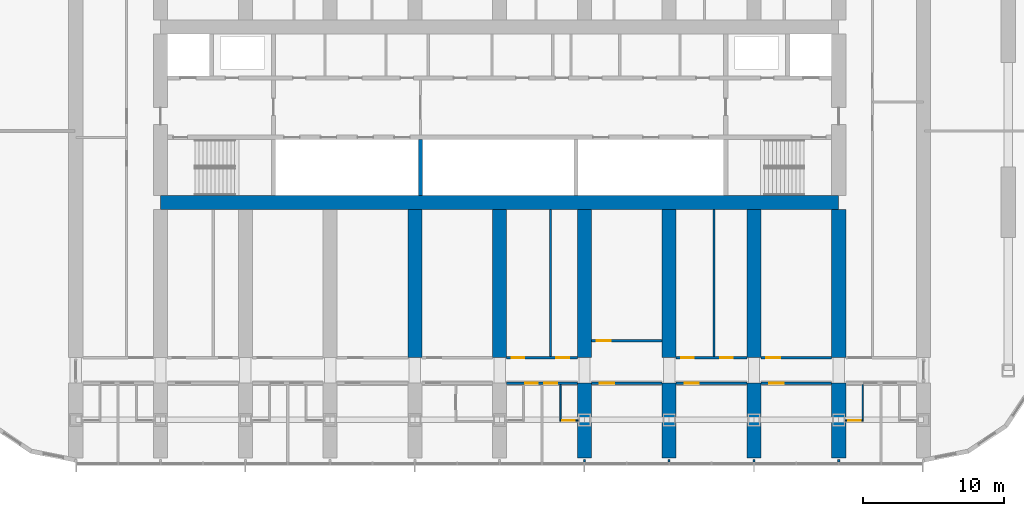
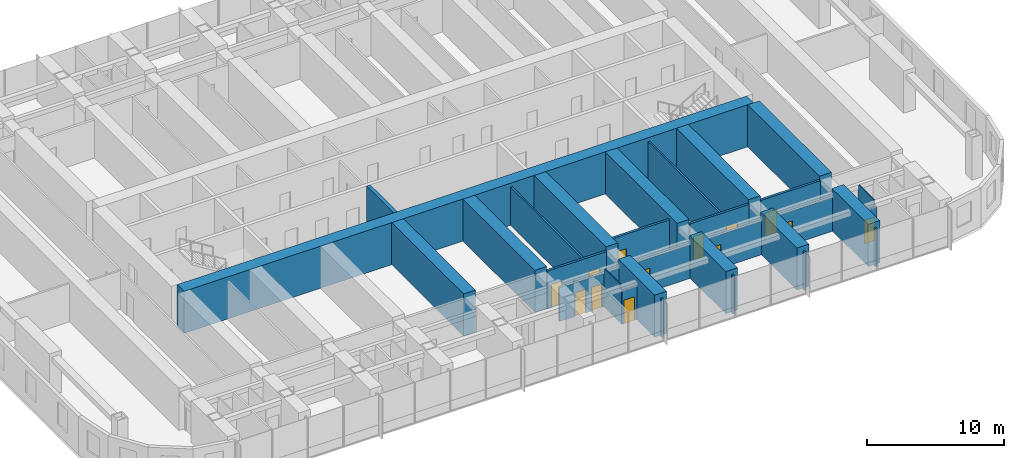
# One storey, part 12 of 23: 30 walls, 13 doors, 13 openings.
"""IFC4 building model written with IfcOpenShell, lengths in metres."""

from ifc_helpers import new_model, si_unit, direction, frame, frame_2d, origin, place, context, subcontext, project, spatial, polyline, rectangle, outline, extrude, material, layer, layer_set, type_object, element, fill, save


model = new_model("IFC4")

# Units and contexts
model_context = context("Model", 3, precision=1e-05, world=origin(), true_north=direction((0.0, 1.0)))
body_context = subcontext(model_context, "Body", "Model", "MODEL_VIEW")
ifc_project = project(units=[si_unit("LENGTHUNIT", "METRE"), si_unit("AREAUNIT", "SQUARE_METRE"), si_unit("VOLUMEUNIT", "CUBIC_METRE"), si_unit("PLANEANGLEUNIT", "RADIAN"), si_unit("MASSUNIT", "GRAM", prefix="KILO")], contexts=[model_context])

# Site, building, storey
site_placement = place(None, origin())
site = spatial("IfcSite", under=ifc_project, at=site_placement, CompositionType="ELEMENT")
building_placement = place(site_placement, origin())
building = spatial("IfcBuilding", under=site, at=building_placement, Name="Orbita Commons", CompositionType="ELEMENT")
storey_placement = place(building_placement, frame((0.0, 0.0, 65.199951171875)))
storey = spatial("IfcBuildingStorey", under=building, at=storey_placement, Name="L16", CompositionType="ELEMENT", Elevation=65.199951171875)

# Walls
ifc_material_1 = material(Name="Concrete C50/60", Category="concrete")
ifc_layer_1 = layer(ifc_material_1, 0.300048828125)
ifc_layer_set_1 = layer_set([ifc_layer_1], Name="Concrete C50/60")
wall_type_1 = type_object("IfcWallType", Name="Core inner wall 300 C50/60", PredefinedType="SHEAR", material=ifc_layer_set_1)
wall_1_placement = place(storey_placement, frame((36.39990234375, 26.300048828125, 0.0), z_axis=(0.0, 0.0, 1.0), x_axis=(0.0, 1.0, 0.0)))
element("IfcWall", 1, at=wall_1_placement, inside=storey, type_object=wall_type_1, Name="Hoistway division wall L16", PredefinedType="SHEAR", context=body_context, shape_type="SweptSolid", body=[
    extrude(rectangle(XDim=3.949951171875, YDim=0.300048828125, at=frame_2d((1.97509765625, 0.0))), origin(), (0.0, 0.0, 1.0), 3.75),
])
ifc_material_2 = material(Name="Concrete C50/60", Category="concrete")
ifc_layer_2 = layer(ifc_material_2, 1.0)
ifc_layer_set_2 = layer_set([ifc_layer_2], Name="Concrete C50/60")
wall_type_2 = type_object("IfcWallType", Name="Core wall 1000 C50/60", PredefinedType="SHEAR", material=ifc_layer_set_2)
wall_2_placement = place(storey_placement, frame((18.0, 25.800048828125, 0.0), z_axis=(0.0, 0.0, 1.0), x_axis=(1.0, 0.0, 0.0)))
element("IfcWall", 2, at=wall_2_placement, inside=storey, type_object=wall_type_2, Name="Core spine wall south L16", PredefinedType="SHEAR", context=body_context, shape_type="SweptSolid", body=[
    extrude(rectangle(XDim=48.0, YDim=1.0, at=frame_2d((24.0, 0.0))), origin(), (0.0, 0.0, 1.0), 3.75),
])

# Wall, openings, doors
ifc_material_3 = material(Name="Concrete blockwork", Category="masonry")
ifc_layer_3 = layer(ifc_material_3, 0.199951171875)
ifc_layer_set_3 = layer_set([ifc_layer_3], Name="Concrete blockwork")
wall_type_3 = type_object("IfcWallType", Name="Corridor wall 200 blockwork", PredefinedType="SOLIDWALL", material=ifc_layer_set_3)
wall_3_placement = place(storey_placement, frame((42.5, 13.0, 0.0), z_axis=(0.0, 0.0, 1.0), x_axis=(1.0, 0.0, 0.0)))
wall_3 = element("IfcWall", 3, at=wall_3_placement, inside=storey, type_object=wall_type_3, Name="Corridor wall 200 blockwork L16", PredefinedType="SOLIDWALL", context=body_context, shape_type="SweptSolid", body=[
    extrude(outline(polyline([(0.0, 0.0), (5.0, 0.0), (5.0, 3.0), (0.0, 3.0), (0.0, 0.0)])), frame((0.0, 0.10009765625, 0.0), z_axis=(0.0, -1.0, 0.0), x_axis=(1.0, 0.0, 0.0)), (0.0, 0.0, 1.0), 0.199951171875),
])
opening_1_placement = place(wall_3_placement, frame((1.300048828125, 0.0, 0.0)))
opening_1 = element("IfcOpeningElement", 4, at=opening_1_placement, cuts=wall_3, Name="Opening D11", PredefinedType="OPENING", context=body_context, shape_type="SweptSolid", body=[
    extrude(rectangle(XDim=0.89990234375, YDim=2.10009765625, at=frame_2d((0.449951171875, 1.050048828125))), frame((0.0, 0.10986328125, 0.0), z_axis=(0.0, -1.0, 0.0), x_axis=(1.0, 0.0, 0.0)), (0.0, 0.0, 1.0), 0.219970703125),
])
opening_2_placement = place(wall_3_placement, frame((2.675048828125, 0.0, 0.0)))
opening_2 = element("IfcOpeningElement", 5, at=opening_2_placement, cuts=wall_3, Name="Opening D11", PredefinedType="OPENING", context=body_context, shape_type="SweptSolid", body=[
    extrude(rectangle(XDim=0.89990234375, YDim=2.10009765625, at=frame_2d((0.449951171875, 1.050048828125))), frame((0.0, 0.10986328125, 0.0), z_axis=(0.0, -1.0, 0.0), x_axis=(1.0, 0.0, 0.0)), (0.0, 0.0, 1.0), 0.219970703125),
])
ifc_material_4 = material(Name="Steel-faced fire door leaf", Category="steel")
door_type_1 = type_object("IfcDoorType", Name="Corridor door 20 min 900x2100", OperationType="SINGLE_SWING_LEFT", PredefinedType="DOOR", material=ifc_material_4)
door_1_placement = place(opening_1_placement, origin())
door_1 = element("IfcDoor", 6, at=door_1_placement, inside=storey, type_object=door_type_1, Name="House bedroom L16-S10 door", OperationType="SINGLE_SWING_LEFT", OverallHeight=2.10009765625, OverallWidth=0.89990234375, PredefinedType="DOOR", context=body_context, shape_type="SweptSolid", body=[
    extrude(rectangle(XDim=0.89990234375, YDim=2.10009765625, at=frame_2d((0.449951171875, 1.050048828125))), frame((0.0, 0.02490234375, 0.0), z_axis=(0.0, -1.0, 0.0), x_axis=(1.0, 0.0, 0.0)), (0.0, 0.0, 1.0), 0.050048828125),
])
fill(opening_1, door_1)
door_2_placement = place(opening_2_placement, origin())
door_2 = element("IfcDoor", 7, at=door_2_placement, inside=storey, type_object=door_type_1, Name="House bedroom L16-S11 door", OperationType="SINGLE_SWING_LEFT", OverallHeight=2.10009765625, OverallWidth=0.89990234375, PredefinedType="DOOR", context=body_context, shape_type="SweptSolid", body=[
    extrude(rectangle(XDim=0.89990234375, YDim=2.10009765625, at=frame_2d((0.449951171875, 1.050048828125))), frame((0.0, 0.02490234375, 0.0), z_axis=(0.0, -1.0, 0.0), x_axis=(1.0, 0.0, 0.0)), (0.0, 0.0, 1.0), 0.050048828125),
])
fill(opening_2, door_2)

# Wall, opening, door
wall_4_placement = place(storey_placement, frame((48.5, 13.0, 0.0), z_axis=(0.0, 0.0, 1.0), x_axis=(1.0, 0.0, 0.0)))
wall_4 = element("IfcWall", 8, at=wall_4_placement, inside=storey, type_object=wall_type_3, Name="Corridor wall 200 blockwork L16", PredefinedType="SOLIDWALL", context=body_context, shape_type="SweptSolid", body=[
    extrude(outline(polyline([(0.0, 0.0), (5.0, 0.0), (5.0, 3.0), (0.0, 3.0), (0.0, 0.0)])), frame((0.0, 0.10009765625, 0.0), z_axis=(0.0, -1.0, 0.0), x_axis=(1.0, 0.0, 0.0)), (0.0, 0.0, 1.0), 0.199951171875),
])
opening_3_placement = place(wall_4_placement, frame((0.60009765625, 0.0, 0.0)))
opening_3 = element("IfcOpeningElement", 9, at=opening_3_placement, cuts=wall_4, Name="Opening D06", PredefinedType="OPENING", context=body_context, shape_type="SweptSolid", body=[
    extrude(rectangle(XDim=1.0, YDim=2.10009765625, at=frame_2d((0.5, 1.050048828125))), frame((0.0, 0.10986328125, 0.0), z_axis=(0.0, -1.0, 0.0), x_axis=(1.0, 0.0, 0.0)), (0.0, 0.0, 1.0), 0.219970703125),
])
ifc_material_5 = material(Name="Steel-faced fire door leaf", Category="steel")
door_type_2 = type_object("IfcDoorType", Name="Corridor door 20 min 1000x2100", OperationType="SINGLE_SWING_LEFT", PredefinedType="DOOR", material=ifc_material_5)
door_3_placement = place(opening_3_placement, origin())
door_3 = element("IfcDoor", 10, at=door_3_placement, inside=storey, type_object=door_type_2, Name="House common room L16-S12 door", OperationType="SINGLE_SWING_LEFT", OverallHeight=2.10009765625, OverallWidth=1.0, PredefinedType="DOOR", context=body_context, shape_type="SweptSolid", body=[
    extrude(rectangle(XDim=1.0, YDim=2.10009765625, at=frame_2d((0.5, 1.050048828125))), frame((0.0, 0.02490234375, 0.0), z_axis=(0.0, -1.0, 0.0), x_axis=(1.0, 0.0, 0.0)), (0.0, 0.0, 1.0), 0.050048828125),
])
fill(opening_3, door_3)

wall_5_placement = place(storey_placement, frame((54.5, 13.0, 0.0), z_axis=(0.0, 0.0, 1.0), x_axis=(1.0, 0.0, 0.0)))
wall_5 = element("IfcWall", 11, at=wall_5_placement, inside=storey, type_object=wall_type_3, Name="Corridor wall 200 blockwork L16", PredefinedType="SOLIDWALL", context=body_context, shape_type="SweptSolid", body=[
    extrude(outline(polyline([(0.0, 0.0), (5.0, 0.0), (5.0, 3.0), (0.0, 3.0), (0.0, 0.0)])), frame((0.0, 0.10009765625, 0.0), z_axis=(0.0, -1.0, 0.0), x_axis=(1.0, 0.0, 0.0)), (0.0, 0.0, 1.0), 0.199951171875),
])
opening_4_placement = place(wall_5_placement, frame((0.60009765625, 0.0, 0.0)))
opening_4 = element("IfcOpeningElement", 12, at=opening_4_placement, cuts=wall_5, Name="Opening D06", PredefinedType="OPENING", context=body_context, shape_type="SweptSolid", body=[
    extrude(rectangle(XDim=1.0, YDim=2.10009765625, at=frame_2d((0.5, 1.050048828125))), frame((0.0, 0.10986328125, 0.0), z_axis=(0.0, -1.0, 0.0), x_axis=(1.0, 0.0, 0.0)), (0.0, 0.0, 1.0), 0.219970703125),
])
door_4_placement = place(opening_4_placement, origin())
door_4 = element("IfcDoor", 13, at=door_4_placement, inside=storey, type_object=door_type_2, Name="House kitchen-diner L16-S14 door", OperationType="SINGLE_SWING_LEFT", OverallHeight=2.10009765625, OverallWidth=1.0, PredefinedType="DOOR", context=body_context, shape_type="SweptSolid", body=[
    extrude(rectangle(XDim=1.0, YDim=2.10009765625, at=frame_2d((0.5, 1.050048828125))), frame((0.0, 0.02490234375, 0.0), z_axis=(0.0, -1.0, 0.0), x_axis=(1.0, 0.0, 0.0)), (0.0, 0.0, 1.0), 0.050048828125),
])
fill(opening_4, door_4)

wall_6_placement = place(storey_placement, frame((60.5, 13.0, 0.0), z_axis=(0.0, 0.0, 1.0), x_axis=(1.0, 0.0, 0.0)))
wall_6 = element("IfcWall", 14, at=wall_6_placement, inside=storey, type_object=wall_type_3, Name="Corridor wall 200 blockwork L16", PredefinedType="SOLIDWALL", context=body_context, shape_type="SweptSolid", body=[
    extrude(outline(polyline([(0.0, 0.0), (5.0, 0.0), (5.0, 3.0), (0.0, 3.0), (0.0, 0.0)])), frame((0.0, 0.10009765625, 0.0), z_axis=(0.0, -1.0, 0.0), x_axis=(1.0, 0.0, 0.0)), (0.0, 0.0, 1.0), 0.199951171875),
])
opening_5_placement = place(wall_6_placement, frame((0.60009765625, 0.0, 0.0)))
opening_5 = element("IfcOpeningElement", 15, at=opening_5_placement, cuts=wall_6, Name="Opening D06", PredefinedType="OPENING", context=body_context, shape_type="SweptSolid", body=[
    extrude(rectangle(XDim=1.0, YDim=2.10009765625, at=frame_2d((0.5, 1.050048828125))), frame((0.0, 0.10986328125, 0.0), z_axis=(0.0, -1.0, 0.0), x_axis=(1.0, 0.0, 0.0)), (0.0, 0.0, 1.0), 0.219970703125),
])
door_5_placement = place(opening_5_placement, origin())
door_5 = element("IfcDoor", 16, at=door_5_placement, inside=storey, type_object=door_type_2, Name="House common room L16-S16 door", OperationType="SINGLE_SWING_LEFT", OverallHeight=2.10009765625, OverallWidth=1.0, PredefinedType="DOOR", context=body_context, shape_type="SweptSolid", body=[
    extrude(rectangle(XDim=1.0, YDim=2.10009765625, at=frame_2d((0.5, 1.050048828125))), frame((0.0, 0.02490234375, 0.0), z_axis=(0.0, -1.0, 0.0), x_axis=(1.0, 0.0, 0.0)), (0.0, 0.0, 1.0), 0.050048828125),
])
fill(opening_5, door_5)

# Wall, openings, doors
ifc_material_6 = material(Name="Hollow concrete block 200", Category="concrete")
ifc_layer_4 = layer(ifc_material_6, 0.199951171875)
ifc_layer_set_4 = layer_set([ifc_layer_4], Name="Hollow concrete block 200")
wall_type_4 = type_object("IfcWallType", Name="Corridor wall 200 hollow concrete block", PredefinedType="SOLIDWALL", material=ifc_layer_set_4)
wall_7_placement = place(storey_placement, frame((42.5, 14.800048828125, 0.0), z_axis=(0.0, 0.0, 1.0), x_axis=(1.0, 0.0, 0.0)))
wall_7 = element("IfcWall", 17, at=wall_7_placement, inside=storey, type_object=wall_type_4, Name="Corridor wall 200 hollow concrete block L16", PredefinedType="SOLIDWALL", context=body_context, shape_type="SweptSolid", body=[
    extrude(rectangle(XDim=5.0, YDim=0.199951171875, at=frame_2d((2.5, 0.0))), origin(), (0.0, 0.0, 1.0), 3.400146484375),
])
opening_6_placement = place(wall_7_placement, frame((0.35009765625, 0.0, 0.0)))
opening_6 = element("IfcOpeningElement", 18, at=opening_6_placement, cuts=wall_7, Name="Opening D11", PredefinedType="OPENING", context=body_context, shape_type="SweptSolid", body=[
    extrude(rectangle(XDim=0.89990234375, YDim=2.10009765625, at=frame_2d((0.449951171875, 1.050048828125))), frame((0.0, 0.10986328125, 0.0), z_axis=(0.0, -1.0, 0.0), x_axis=(1.0, 0.0, 0.0)), (0.0, 0.0, 1.0), 0.219970703125),
])
opening_7_placement = place(wall_7_placement, frame((3.52001953125, 0.0, 0.0)))
opening_7 = element("IfcOpeningElement", 19, at=opening_7_placement, cuts=wall_7, Name="Opening D11", PredefinedType="OPENING", context=body_context, shape_type="SweptSolid", body=[
    extrude(rectangle(XDim=0.89990234375, YDim=2.10009765625, at=frame_2d((0.449951171875, 1.050048828125))), frame((0.0, 0.10986328125, 0.0), z_axis=(0.0, -1.0, 0.0), x_axis=(1.0, 0.0, 0.0)), (0.0, 0.0, 1.0), 0.219970703125),
])
door_6_placement = place(opening_6_placement, origin())
door_6 = element("IfcDoor", 20, at=door_6_placement, inside=storey, type_object=door_type_1, Name="Bicycle repair workshop L16-BDS42 door", OperationType="SINGLE_SWING_LEFT", OverallHeight=2.10009765625, OverallWidth=0.89990234375, PredefinedType="DOOR", context=body_context, shape_type="SweptSolid", body=[
    extrude(rectangle(XDim=0.89990234375, YDim=2.10009765625, at=frame_2d((0.449951171875, 1.050048828125))), frame((0.0, 0.02490234375, 0.0), z_axis=(0.0, -1.0, 0.0), x_axis=(1.0, 0.0, 0.0)), (0.0, 0.0, 1.0), 0.050048828125),
])
fill(opening_6, door_6)
door_7_placement = place(opening_7_placement, origin())
door_7 = element("IfcDoor", 21, at=door_7_placement, inside=storey, type_object=door_type_1, Name="Battery and UPS room L16-BDS42n door", OperationType="SINGLE_SWING_LEFT", OverallHeight=2.10009765625, OverallWidth=0.89990234375, PredefinedType="DOOR", context=body_context, shape_type="SweptSolid", body=[
    extrude(rectangle(XDim=0.89990234375, YDim=2.10009765625, at=frame_2d((0.449951171875, 1.050048828125))), frame((0.0, 0.02490234375, 0.0), z_axis=(0.0, -1.0, 0.0), x_axis=(1.0, 0.0, 0.0)), (0.0, 0.0, 1.0), 0.050048828125),
])
fill(opening_7, door_7)

wall_8_placement = place(storey_placement, frame((54.5, 14.800048828125, 0.0), z_axis=(0.0, 0.0, 1.0), x_axis=(1.0, 0.0, 0.0)))
wall_8 = element("IfcWall", 22, at=wall_8_placement, inside=storey, type_object=wall_type_4, Name="Corridor wall 200 hollow concrete block L16", PredefinedType="SOLIDWALL", context=body_context, shape_type="SweptSolid", body=[
    extrude(rectangle(XDim=5.0, YDim=0.199951171875, at=frame_2d((2.5, 0.0))), origin(), (0.0, 0.0, 1.0), 3.400146484375),
])
opening_8_placement = place(wall_8_placement, frame((0.35009765625, 0.0, 0.0)))
opening_8 = element("IfcOpeningElement", 23, at=opening_8_placement, cuts=wall_8, Name="Opening D11", PredefinedType="OPENING", context=body_context, shape_type="SweptSolid", body=[
    extrude(rectangle(XDim=0.89990234375, YDim=2.10009765625, at=frame_2d((0.449951171875, 1.050048828125))), frame((0.0, 0.10986328125, 0.0), z_axis=(0.0, -1.0, 0.0), x_axis=(1.0, 0.0, 0.0)), (0.0, 0.0, 1.0), 0.219970703125),
])
opening_9_placement = place(wall_8_placement, frame((3.110107421875, 0.0, 0.0)))
opening_9 = element("IfcOpeningElement", 24, at=opening_9_placement, cuts=wall_8, Name="Opening D11", PredefinedType="OPENING", context=body_context, shape_type="SweptSolid", body=[
    extrude(rectangle(XDim=0.89990234375, YDim=2.10009765625, at=frame_2d((0.449951171875, 1.050048828125))), frame((0.0, 0.10986328125, 0.0), z_axis=(0.0, -1.0, 0.0), x_axis=(1.0, 0.0, 0.0)), (0.0, 0.0, 1.0), 0.219970703125),
])
door_8_placement = place(opening_8_placement, origin())
door_8 = element("IfcDoor", 25, at=door_8_placement, inside=storey, type_object=door_type_1, Name="IT and print room L16-BDS54 door", OperationType="SINGLE_SWING_LEFT", OverallHeight=2.10009765625, OverallWidth=0.89990234375, PredefinedType="DOOR", context=body_context, shape_type="SweptSolid", body=[
    extrude(rectangle(XDim=0.89990234375, YDim=2.10009765625, at=frame_2d((0.449951171875, 1.050048828125))), frame((0.0, 0.02490234375, 0.0), z_axis=(0.0, -1.0, 0.0), x_axis=(1.0, 0.0, 0.0)), (0.0, 0.0, 1.0), 0.050048828125),
])
fill(opening_8, door_8)
door_9_placement = place(opening_9_placement, origin())
door_9 = element("IfcDoor", 26, at=door_9_placement, inside=storey, type_object=door_type_1, Name="Water heater cupboard L16-BDS54n door", OperationType="SINGLE_SWING_LEFT", OverallHeight=2.10009765625, OverallWidth=0.89990234375, PredefinedType="DOOR", context=body_context, shape_type="SweptSolid", body=[
    extrude(rectangle(XDim=0.89990234375, YDim=2.10009765625, at=frame_2d((0.449951171875, 1.050048828125))), frame((0.0, 0.02490234375, 0.0), z_axis=(0.0, -1.0, 0.0), x_axis=(1.0, 0.0, 0.0)), (0.0, 0.0, 1.0), 0.050048828125),
])
fill(opening_9, door_9)

# Wall, opening, door
wall_9_placement = place(storey_placement, frame((60.5, 14.800048828125, 0.0), z_axis=(0.0, 0.0, 1.0), x_axis=(1.0, 0.0, 0.0)))
wall_9 = element("IfcWall", 27, at=wall_9_placement, inside=storey, type_object=wall_type_4, Name="Corridor wall 200 hollow concrete block L16", PredefinedType="SOLIDWALL", context=body_context, shape_type="SweptSolid", body=[
    extrude(rectangle(XDim=5.0, YDim=0.199951171875, at=frame_2d((2.5, 0.0))), origin(), (0.0, 0.0, 1.0), 3.400146484375),
])
opening_10_placement = place(wall_9_placement, frame((0.375, 0.0, 0.0)))
opening_10 = element("IfcOpeningElement", 28, at=opening_10_placement, cuts=wall_9, Name="Opening D06", PredefinedType="OPENING", context=body_context, shape_type="SweptSolid", body=[
    extrude(rectangle(XDim=1.0, YDim=2.10009765625, at=frame_2d((0.5, 1.050048828125))), frame((0.0, 0.10986328125, 0.0), z_axis=(0.0, -1.0, 0.0), x_axis=(1.0, 0.0, 0.0)), (0.0, 0.0, 1.0), 0.219970703125),
])
door_10_placement = place(opening_10_placement, origin())
door_10 = element("IfcDoor", 29, at=door_10_placement, inside=storey, type_object=door_type_2, Name="Cleaners store L16-BDS60 door", OperationType="SINGLE_SWING_LEFT", OverallHeight=2.10009765625, OverallWidth=1.0, PredefinedType="DOOR", context=body_context, shape_type="SweptSolid", body=[
    extrude(rectangle(XDim=1.0, YDim=2.10009765625, at=frame_2d((0.5, 1.050048828125))), frame((0.0, 0.02490234375, 0.0), z_axis=(0.0, -1.0, 0.0), x_axis=(1.0, 0.0, 0.0)), (0.0, 0.0, 1.0), 0.050048828125),
])
fill(opening_10, door_10)

wall_10_placement = place(storey_placement, frame((48.5, 16.0, 0.0), z_axis=(0.0, 0.0, 1.0), x_axis=(1.0, 0.0, 0.0)))
wall_10 = element("IfcWall", 30, at=wall_10_placement, inside=storey, type_object=wall_type_4, Name="Corridor wall 200 hollow concrete block L16", PredefinedType="SOLIDWALL", context=body_context, shape_type="SweptSolid", body=[
    extrude(rectangle(XDim=5.0, YDim=0.199951171875, at=frame_2d((2.5, 0.0))), origin(), (0.0, 0.0, 1.0), 3.400146484375),
])
opening_11_placement = place(wall_10_placement, frame((0.375, 0.0, 0.0)))
opening_11 = element("IfcOpeningElement", 31, at=opening_11_placement, cuts=wall_10, Name="Opening D06", PredefinedType="OPENING", context=body_context, shape_type="SweptSolid", body=[
    extrude(rectangle(XDim=1.0, YDim=2.10009765625, at=frame_2d((0.5, 1.050048828125))), frame((0.0, 0.10986328125, 0.0), z_axis=(0.0, -1.0, 0.0), x_axis=(1.0, 0.0, 0.0)), (0.0, 0.0, 1.0), 0.219970703125),
])
door_11_placement = place(opening_11_placement, origin())
door_11 = element("IfcDoor", 32, at=door_11_placement, inside=storey, type_object=door_type_2, Name="Quiet room L16-BDS48 door", OperationType="SINGLE_SWING_LEFT", OverallHeight=2.10009765625, OverallWidth=1.0, PredefinedType="DOOR", context=body_context, shape_type="SweptSolid", body=[
    extrude(rectangle(XDim=1.0, YDim=2.10009765625, at=frame_2d((0.5, 1.050048828125))), frame((0.0, 0.02490234375, 0.0), z_axis=(0.0, -1.0, 0.0), x_axis=(1.0, 0.0, 0.0)), (0.0, 0.0, 1.0), 0.050048828125),
])
fill(opening_11, door_11)

# Walls
ifc_material_7 = material(Name="Concrete C50/60", Category="concrete")
ifc_layer_5 = layer(ifc_material_7, 1.0)
ifc_layer_set_5 = layer_set([ifc_layer_5], Name="Concrete C50/60")
wall_type_5 = type_object("IfcWallType", Name="Cross wall 1000 C50/60", PredefinedType="SHEAR", material=ifc_layer_set_5)
for number, where, z_axis, x_axis, name in (
    (33, (36.0, 14.800048828125, 0.0), (0.0, 0.0, 1.0), (0.0, 1.0, 0.0), "Cross wall 7 south inner L16"),
    (34, (42.0, 14.800048828125, 0.0), (0.0, 0.0, 1.0), (0.0, 1.0, 0.0), "Cross wall 8 south inner L16"),
):
    element("IfcWall", number, at=place(storey_placement, frame(where, z_axis=z_axis, x_axis=x_axis)), inside=storey, type_object=wall_type_5, Name=name, PredefinedType="SHEAR", context=body_context, shape_type="SweptSolid", body=[
        extrude(rectangle(XDim=10.5, YDim=1.0, at=frame_2d((5.25, 0.0))), origin(), (0.0, 0.0, 1.0), 3.75),
    ])
wall_11_placement = place(storey_placement, frame((48.0, 7.699951171875, 0.0), z_axis=(0.0, 0.0, 1.0), x_axis=(0.0, 1.0, 0.0)))
element("IfcWall", 35, at=wall_11_placement, inside=storey, type_object=wall_type_5, Name="Cross wall 9 south outer L16", PredefinedType="SHEAR", context=body_context, shape_type="SweptSolid", body=[
    extrude(rectangle(XDim=5.300048828125, YDim=1.0, at=frame_2d((2.64990234375, 0.0))), origin(), (0.0, 0.0, 1.0), 3.75),
])
wall_12_placement = place(storey_placement, frame((48.0, 14.800048828125, 0.0), z_axis=(0.0, 0.0, 1.0), x_axis=(0.0, 1.0, 0.0)))
element("IfcWall", 36, at=wall_12_placement, inside=storey, type_object=wall_type_5, Name="Cross wall 9 south inner L16", PredefinedType="SHEAR", context=body_context, shape_type="SweptSolid", body=[
    extrude(rectangle(XDim=10.5, YDim=1.0, at=frame_2d((5.25, 0.0))), origin(), (0.0, 0.0, 1.0), 3.75),
])
wall_13_placement = place(storey_placement, frame((54.0, 7.699951171875, 0.0), z_axis=(0.0, 0.0, 1.0), x_axis=(0.0, 1.0, 0.0)))
element("IfcWall", 37, at=wall_13_placement, inside=storey, type_object=wall_type_5, Name="Cross wall 10 south outer L16", PredefinedType="SHEAR", context=body_context, shape_type="SweptSolid", body=[
    extrude(rectangle(XDim=5.300048828125, YDim=1.0, at=frame_2d((2.64990234375, 0.0))), origin(), (0.0, 0.0, 1.0), 3.75),
])
wall_14_placement = place(storey_placement, frame((54.0, 14.800048828125, 0.0), z_axis=(0.0, 0.0, 1.0), x_axis=(0.0, 1.0, 0.0)))
element("IfcWall", 38, at=wall_14_placement, inside=storey, type_object=wall_type_5, Name="Cross wall 10 south inner L16", PredefinedType="SHEAR", context=body_context, shape_type="SweptSolid", body=[
    extrude(rectangle(XDim=10.5, YDim=1.0, at=frame_2d((5.25, 0.0))), origin(), (0.0, 0.0, 1.0), 3.75),
])
wall_15_placement = place(storey_placement, frame((60.0, 7.699951171875, 0.0), z_axis=(0.0, 0.0, 1.0), x_axis=(0.0, 1.0, 0.0)))
element("IfcWall", 39, at=wall_15_placement, inside=storey, type_object=wall_type_5, Name="Cross wall 11 south outer L16", PredefinedType="SHEAR", context=body_context, shape_type="SweptSolid", body=[
    extrude(rectangle(XDim=5.300048828125, YDim=1.0, at=frame_2d((2.64990234375, 0.0))), origin(), (0.0, 0.0, 1.0), 3.75),
])
wall_16_placement = place(storey_placement, frame((60.0, 14.800048828125, 0.0), z_axis=(0.0, 0.0, 1.0), x_axis=(0.0, 1.0, 0.0)))
element("IfcWall", 40, at=wall_16_placement, inside=storey, type_object=wall_type_5, Name="Cross wall 11 south inner L16", PredefinedType="SHEAR", context=body_context, shape_type="SweptSolid", body=[
    extrude(rectangle(XDim=10.5, YDim=1.0, at=frame_2d((5.25, 0.0))), origin(), (0.0, 0.0, 1.0), 3.75),
])
wall_17_placement = place(storey_placement, frame((66.0, 7.699951171875, 0.0), z_axis=(0.0, 0.0, 1.0), x_axis=(0.0, 1.0, 0.0)))
element("IfcWall", 41, at=wall_17_placement, inside=storey, type_object=wall_type_5, Name="Cross wall 12 south outer L16", PredefinedType="SHEAR", context=body_context, shape_type="SweptSolid", body=[
    extrude(rectangle(XDim=5.300048828125, YDim=1.0, at=frame_2d((2.64990234375, 0.0))), origin(), (0.0, 0.0, 1.0), 3.75),
])
wall_18_placement = place(storey_placement, frame((66.0, 14.800048828125, 0.0), z_axis=(0.0, 0.0, 1.0), x_axis=(0.0, 1.0, 0.0)))
element("IfcWall", 42, at=wall_18_placement, inside=storey, type_object=wall_type_5, Name="Cross wall 12 south inner L16", PredefinedType="SHEAR", context=body_context, shape_type="SweptSolid", body=[
    extrude(rectangle(XDim=10.5, YDim=1.0, at=frame_2d((5.25, 0.0))), origin(), (0.0, 0.0, 1.0), 3.75),
])

# Wall, opening, door
ifc_material_8 = material(Name="Moisture-resistant plasterboard on steel studs", Category="steel")
ifc_layer_6 = layer(ifc_material_8, 0.10009765625)
ifc_layer_set_6 = layer_set([ifc_layer_6], Name="Moisture-resistant plasterboard on steel studs")
wall_type_6 = type_object("IfcWallType", Name="En-suite partition 100", PredefinedType="PARTITIONING", material=ifc_layer_set_6)
wall_19_placement = place(storey_placement, frame((47.550048828125, 10.3583984375, 0.0), z_axis=(0.0, 0.0, 1.0), x_axis=(-1.0, 0.0, 0.0)))
wall_19 = element("IfcWall", 43, at=wall_19_placement, inside=storey, type_object=wall_type_6, Name="En-suite partition 100 L16", PredefinedType="PARTITIONING", context=body_context, shape_type="SweptSolid", body=[
    extrude(outline(polyline([(0.0, 0.0), (1.300048828125, 0.0), (1.300048828125, 3.0), (0.0, 3.0), (0.0, 0.0)])), frame((0.0, 0.050048828125, 0.0), z_axis=(0.0, -1.0, 0.0), x_axis=(1.0, 0.0, 0.0)), (0.0, 0.0, 1.0), 0.10009765625),
])
opening_12_placement = place(wall_19_placement, frame((0.22509765625, 0.0, 0.0)))
opening_12 = element("IfcOpeningElement", 44, at=opening_12_placement, cuts=wall_19, Name="Opening D09", PredefinedType="OPENING", context=body_context, shape_type="SweptSolid", body=[
    extrude(rectangle(XDim=0.89990234375, YDim=2.10009765625, at=frame_2d((0.449951171875, 1.050048828125))), frame((0.0, 0.06005859375, 0.0), z_axis=(0.0, -1.0, 0.0), x_axis=(1.0, 0.0, 0.0)), (0.0, 0.0, 1.0), 0.1201171875),
])
ifc_material_9 = material(Name="Laminated timber door leaf", Category="wood")
door_type_3 = type_object("IfcDoorType", Name="En-suite door 900x2100", OperationType="SINGLE_SWING_RIGHT", PredefinedType="DOOR", material=ifc_material_9)
door_12_placement = place(opening_12_placement, origin())
door_12 = element("IfcDoor", 45, at=door_12_placement, inside=storey, type_object=door_type_3, Name="En-suite L16-S11 door", OperationType="SINGLE_SWING_RIGHT", OverallHeight=2.10009765625, OverallWidth=0.89990234375, PredefinedType="DOOR", context=body_context, shape_type="SweptSolid", body=[
    extrude(rectangle(XDim=0.89990234375, YDim=2.10009765625, at=frame_2d((0.449951171875, 1.050048828125))), frame((0.0, 0.02490234375, 0.0), z_axis=(0.0, -1.0, 0.0), x_axis=(1.0, 0.0, 0.0)), (0.0, 0.0, 1.0), 0.050048828125),
])
fill(opening_12, door_12)

# Wall
wall_20_placement = place(storey_placement, frame((46.300048828125, 10.408203125, 0.0), z_axis=(0.0, 0.0, 1.0), x_axis=(0.0, 1.0, 0.0)))
element("IfcWall", 46, at=wall_20_placement, inside=storey, type_object=wall_type_6, Name="En-suite partition 100 L16", PredefinedType="PARTITIONING", context=body_context, shape_type="SweptSolid", body=[
    extrude(outline(polyline([(0.0, 0.0), (2.49169921875, 0.0), (2.49169921875, 3.0), (2.443603515625, 3.0), (2.441650390625, 3.400146484375), (0.193603515625, 3.400146484375), (0.191650390625, 3.0), (0.0, 3.0), (0.0, 0.0)])), frame((0.0, 0.050048828125, 0.0), z_axis=(0.0, -1.0, 0.0), x_axis=(1.0, 0.0, 0.0)), (0.0, 0.0, 1.0), 0.10009765625),
])

# Wall, opening, door
wall_21_placement = place(storey_placement, frame((67.75, 10.3583984375, 0.0), z_axis=(0.0, 0.0, 1.0), x_axis=(-1.0, 0.0, 0.0)))
wall_21 = element("IfcWall", 47, at=wall_21_placement, inside=storey, type_object=wall_type_6, Name="En-suite partition 100 L16", PredefinedType="PARTITIONING", context=body_context, shape_type="SweptSolid", body=[
    extrude(outline(polyline([(0.0, 0.0), (1.300048828125, 0.0), (1.300048828125, 3.0), (0.0, 3.0), (0.0, 0.0)])), frame((0.0, 0.050048828125, 0.0), z_axis=(0.0, -1.0, 0.0), x_axis=(1.0, 0.0, 0.0)), (0.0, 0.0, 1.0), 0.10009765625),
])
opening_13_placement = place(wall_21_placement, frame((0.175048828125, 0.0, 0.0)))
opening_13 = element("IfcOpeningElement", 48, at=opening_13_placement, cuts=wall_21, Name="Opening D09", PredefinedType="OPENING", context=body_context, shape_type="SweptSolid", body=[
    extrude(rectangle(XDim=0.89990234375, YDim=2.10009765625, at=frame_2d((0.449951171875, 1.050048828125))), frame((0.0, 0.06005859375, 0.0), z_axis=(0.0, -1.0, 0.0), x_axis=(1.0, 0.0, 0.0)), (0.0, 0.0, 1.0), 0.1201171875),
])
door_13_placement = place(opening_13_placement, origin())
door_13 = element("IfcDoor", 49, at=door_13_placement, inside=storey, type_object=door_type_3, Name="En-suite L16-S18 door", OperationType="SINGLE_SWING_RIGHT", OverallHeight=2.10009765625, OverallWidth=0.89990234375, PredefinedType="DOOR", context=body_context, shape_type="SweptSolid", body=[
    extrude(rectangle(XDim=0.89990234375, YDim=2.10009765625, at=frame_2d((0.449951171875, 1.050048828125))), frame((0.0, 0.02490234375, 0.0), z_axis=(0.0, -1.0, 0.0), x_axis=(1.0, 0.0, 0.0)), (0.0, 0.0, 1.0), 0.050048828125),
])
fill(opening_13, door_13)

# Walls
wall_22_placement = place(storey_placement, frame((67.699951171875, 10.408203125, 0.0), z_axis=(0.0, 0.0, 1.0), x_axis=(0.0, 1.0, 0.0)))
element("IfcWall", 50, at=wall_22_placement, inside=storey, type_object=wall_type_6, Name="En-suite partition 100 L16", PredefinedType="PARTITIONING", context=body_context, shape_type="SweptSolid", body=[
    extrude(outline(polyline([(0.0, 0.0), (2.49169921875, 0.0), (2.49169921875, 3.0), (2.443603515625, 3.0), (2.441650390625, 3.400146484375), (0.193603515625, 3.400146484375), (0.191650390625, 3.0), (0.0, 3.0), (0.0, 0.0)])), frame((0.0, 0.050048828125, 0.0), z_axis=(0.0, -1.0, 0.0), x_axis=(1.0, 0.0, 0.0)), (0.0, 0.0, 1.0), 0.10009765625),
])
ifc_material_10 = material(Name="Gypsum plasterboard on steel studs", Category="steel")
ifc_layer_7 = layer(ifc_material_10, 0.14990234375)
ifc_layer_set_7 = layer_set([ifc_layer_7], Name="Gypsum plasterboard on steel studs")
wall_type_7 = type_object("IfcWallType", Name="Partition 150 plasterboard", PredefinedType="PARTITIONING", material=ifc_layer_set_7)
for number, where, z_axis, x_axis, name in (
    (51, (45.594970703125, 14.89990234375, 0.0), (0.0, 0.0, 1.0), (0.0, 1.0, 0.0), "Partition 150 plasterboard L16"),
    (52, (57.18505859375, 14.89990234375, 0.0), (0.0, 0.0, 1.0), (0.0, 1.0, 0.0), "Partition 150 plasterboard L16"),
):
    element("IfcWall", number, at=place(storey_placement, frame(where, z_axis=z_axis, x_axis=x_axis)), inside=storey, type_object=wall_type_7, Name=name, PredefinedType="PARTITIONING", context=body_context, shape_type="SweptSolid", body=[
        extrude(rectangle(XDim=10.400146484375, YDim=0.14990234375, at=frame_2d((5.2001953125, 0.0))), origin(), (0.0, 0.0, 1.0), 3.400146484375),
    ])
for number, where, z_axis, x_axis, name in (
    (53, (48.0, 7.60009765625, 0.0), (0.0, 0.0, 1.0), (0.0, -1.0, 0.0), "Partition 150 plasterboard L16"),
    (54, (54.0, 7.60009765625, 0.0), (0.0, 0.0, 1.0), (0.0, -1.0, 0.0), "Partition 150 plasterboard L16"),
    (55, (60.0, 7.60009765625, 0.0), (0.0, 0.0, 1.0), (0.0, -1.0, 0.0), "Partition 150 plasterboard L16"),
    (56, (66.0, 7.60009765625, 0.0), (0.0, 0.0, 1.0), (0.0, -1.0, 0.0), "Partition 150 plasterboard L16"),
):
    element("IfcWall", number, at=place(storey_placement, frame(where, z_axis=z_axis, x_axis=x_axis)), inside=storey, type_object=wall_type_7, Name=name, PredefinedType="PARTITIONING", context=body_context, shape_type="SweptSolid", body=[
        extrude(rectangle(XDim=0.190185546875, YDim=0.14990234375, at=frame_2d((0.09521484375, 0.0))), origin(), (0.0, 0.0, 1.0), 3.400146484375),
    ])

save(model, "model.ifc")
